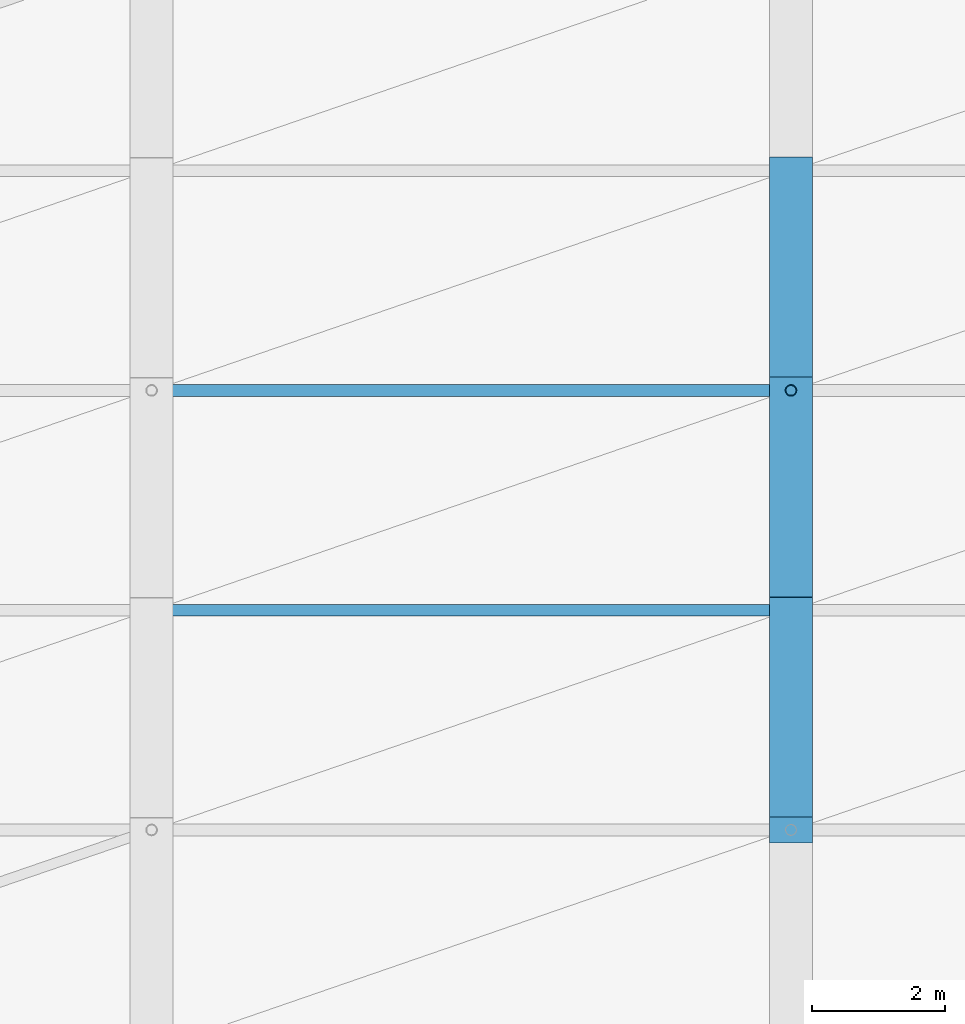
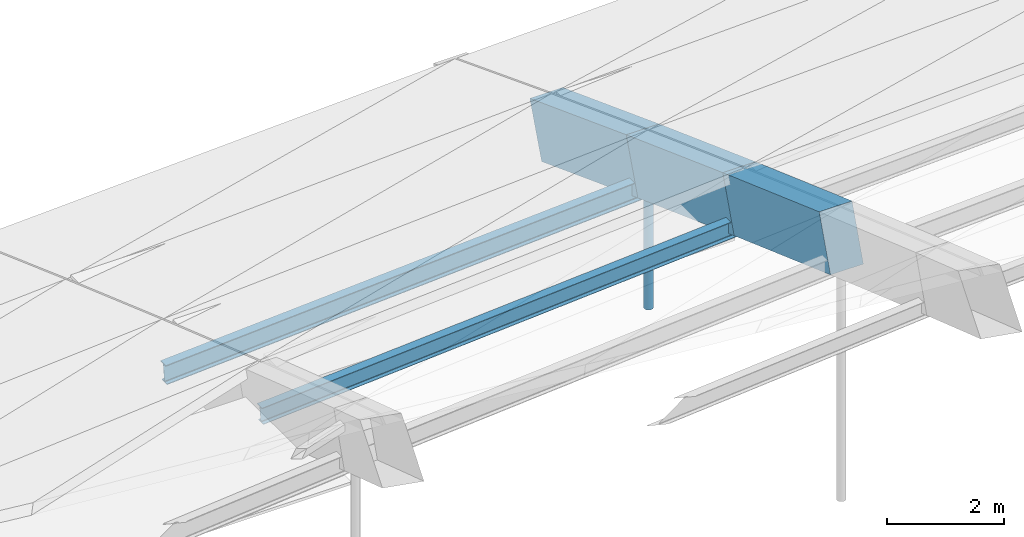
# One storey, part 20 of 43: 3 beams, 3 members.
"""IFC4 building model written with IfcOpenShell, lengths in metres."""

import ifcopenshell
import ifcopenshell.guid

model = None  # the IFC model being written
_history = None  # IfcOwnerHistory: only IFC2X3 demands one
_inside = {}  # id of a spatial element -> (the spatial element, [elements in it])
_under = {}  # id of a project, library or spatial element -> (it, [spatial elements below it])
_declared = {}  # id of a project -> (the project, [libraries it declares])
_typed = {}  # id of a type object -> (the type object, [elements of that type])
_made_of = {}  # id of a material, layer set ... -> (it, [elements and type objects made of it])


def new_model(schema):
    """Start an empty IFC model of exactly this schema.

    Asked for "IFC4X3", IfcOpenShell would pick the latest addendum, in which some entities
    have other attributes; the version numbers below select the first issue.
    IFC2X3 requires an IfcOwnerHistory on every rooted entity: one is made here for all.
    """
    global model, _history
    if schema == "IFC4X3":
        model = ifcopenshell.file(schema_version=(4, 3, 0, 0))
    else:
        model = ifcopenshell.file(schema=schema)
    _inside.clear()
    _under.clear()
    _declared.clear()
    _typed.clear()
    _made_of.clear()
    _history = None
    if model.schema == "IFC2X3":
        org = make("IfcOrganization", Name="unknown")
        user = make(
            "IfcPersonAndOrganization",
            ThePerson=make("IfcPerson", FamilyName="unknown"),
            TheOrganization=org,
        )
        app = make(
            "IfcApplication",
            ApplicationDeveloper=org,
            Version="unknown",
            ApplicationFullName="unknown",
            ApplicationIdentifier="unknown",
        )
        _history = make(
            "IfcOwnerHistory",
            OwningUser=user,
            OwningApplication=app,
            ChangeAction="ADDED",
            CreationDate=0,
        )
    return model


def make(cls, **values):
    """One entity of the class cls with the attributes given. An attribute that is None is left unset."""
    return model.create_entity(
        cls, **{name: value for name, value in values.items() if value is not None}
    )


def rooted(cls, **values):
    """An entity with a GlobalId (a new one), such as an element, a storey or a relation."""
    return make(cls, GlobalId=ifcopenshell.guid.new(), OwnerHistory=_history, **values)


def si_unit(unit_type, name, prefix=None):
    """IfcSIUnit, for example si_unit("LENGTHUNIT", "METRE", prefix="MILLI")."""
    return make("IfcSIUnit", UnitType=unit_type, Prefix=prefix, Name=name)


def assignment(units):
    """IfcUnitAssignment: the units of a project."""
    return None if units is None else make("IfcUnitAssignment", Units=units)


def point(xyz):
    """IfcCartesianPoint."""
    return None if xyz is None else make("IfcCartesianPoint", Coordinates=xyz)


def direction(xyz):
    """IfcDirection."""
    return None if xyz is None else make("IfcDirection", DirectionRatios=xyz)


def frame(location, z_axis=None, x_axis=None):
    """IfcAxis2Placement3D, a coordinate frame: its origin and axes. An axis left out is left unset."""
    return make(
        "IfcAxis2Placement3D",
        Location=point(location),
        Axis=direction(z_axis),
        RefDirection=direction(x_axis),
    )


def frame_2d(location, x_axis=None):
    """IfcAxis2Placement2D, a coordinate frame in the plane: its origin and x axis."""
    return make(
        "IfcAxis2Placement2D", Location=point(location), RefDirection=direction(x_axis)
    )


def origin():
    """The frame at (0, 0, 0) with its axes left unset."""
    return frame((0.0, 0.0, 0.0))


def origin_2d():
    """The frame at (0, 0) in the plane with its x axis left unset."""
    return frame_2d((0.0, 0.0))


def place(relative_to, where):
    """IfcLocalPlacement: puts the frame where relative to a parent placement (None: the world)."""
    return make(
        "IfcLocalPlacement", PlacementRelTo=relative_to, RelativePlacement=where
    )


def context(
    kind, dimensions, precision=None, world=None, true_north=None, identifier=None
):
    """IfcGeometricRepresentationContext, for example the 3D "Model" context."""
    return make(
        "IfcGeometricRepresentationContext",
        ContextIdentifier=identifier,
        ContextType=kind,
        CoordinateSpaceDimension=dimensions,
        Precision=precision,
        WorldCoordinateSystem=world,
        TrueNorth=true_north,
    )


def subcontext(parent, identifier, kind, view, scale=None):
    """IfcGeometricRepresentationSubContext, for example "Body" below "Model"."""
    return make(
        "IfcGeometricRepresentationSubContext",
        ContextIdentifier=identifier,
        ContextType=kind,
        ParentContext=parent,
        TargetScale=scale,
        TargetView=view,
    )


def project(units=None, contexts=None):
    """IfcProject with its units and contexts."""
    return rooted(
        "IfcProject",
        Name="project",
        RepresentationContexts=contexts,
        UnitsInContext=assignment(units),
    )


def spatial(cls, under=None, at=None, **own):
    """A site, building, storey or space (cls), placed at a placement, below another one or the project."""
    s = rooted(cls, ObjectPlacement=at, **own)
    if under is not None:
        _under.setdefault(under.id(), (under, []))[1].append(s)
    return s


def profile(cls, at=None, kind="AREA", **sizes):
    """A parametric profile (cls). Its sizes go by their IFC names, for example OverallWidth=200.0."""
    return make(cls, ProfileType=kind, Position=at, **sizes)


def rectangle(**sizes):
    """IfcRectangleProfileDef."""
    return profile("IfcRectangleProfileDef", **sizes)


def hollow_circle(**sizes):
    """IfcCircleHollowProfileDef."""
    return profile("IfcCircleHollowProfileDef", **sizes)


def i_section(**sizes):
    """IfcIShapeProfileDef."""
    return profile("IfcIShapeProfileDef", **sizes)


def extrude(swept, where, along, depth):
    """IfcExtrudedAreaSolid: the profile swept, set in the frame where, extruded along a direction by depth."""
    return make(
        "IfcExtrudedAreaSolid",
        SweptArea=swept,
        Position=where,
        ExtrudedDirection=direction(along),
        Depth=depth,
    )


def shape(context_of_items, identifier, shape_type, items):
    """IfcShapeRepresentation: the items that make up one representation, for example the "Body"."""
    return make(
        "IfcShapeRepresentation",
        ContextOfItems=context_of_items,
        RepresentationIdentifier=identifier,
        RepresentationType=shape_type,
        Items=items,
    )


def material(Name=None, Category=None):
    """IfcMaterial."""
    return make("IfcMaterial", Name=Name, Category=Category)


def material_profile(
    of_material, cross_section, Name=None, Category=None, Priority=None
):
    """IfcMaterialProfile: a cross section and its material."""
    return make(
        "IfcMaterialProfile",
        Name=Name,
        Material=of_material,
        Profile=cross_section,
        Priority=Priority,
        Category=Category,
    )


def profile_set(profiles, Name=None, composite=None):
    """IfcMaterialProfileSet."""
    return make(
        "IfcMaterialProfileSet",
        Name=Name,
        MaterialProfiles=profiles,
        CompositeProfile=composite,
    )


def made_of(thing, what):
    """Note that an element or type object is made of a material, layer set ...; save() writes the relation."""
    if what is not None:
        _made_of.setdefault(what.id(), (what, []))[1].append(thing)
    return thing


def type_object(cls, material=None, **own):
    """A type object (cls), such as IfcWallType, which elements share."""
    return made_of(rooted(cls, **own), material)


def element(
    cls,
    number,
    at=None,
    inside=None,
    cuts=None,
    type_object=None,
    material=None,
    context=None,
    identifier="Body",
    shape_type=None,
    held_by="IfcProductDefinitionShape",
    body=None,
    shapes=None,
    **own,
):
    """One element of the class cls, such as IfcWall. Its Tag is "e" and its number.

    at: its placement. inside: the storey or other place that contains it. cuts: it is an
    opening in that element (IfcRelVoidsElement). A single representation is given by context,
    identifier, shape_type and body (its items); several are given by shapes. held_by: the class
    of the entity that holds the representations. save() writes the other relations.
    """
    e = rooted(cls, Tag="e%d" % number, ObjectPlacement=at, **own)
    if body is not None:
        shapes = [shape(context, identifier, shape_type, body)]
    if shapes is not None:
        e.Representation = make(held_by, Representations=shapes)
    if inside is not None:
        _inside.setdefault(inside.id(), (inside, []))[1].append(e)
    if cuts is not None:
        rooted(
            "IfcRelVoidsElement", RelatingBuildingElement=cuts, RelatedOpeningElement=e
        )
    if type_object is not None:
        _typed.setdefault(type_object.id(), (type_object, []))[1].append(e)
    return made_of(e, material)


def aggregate(whole, parts):
    """IfcRelAggregates: a whole, such as a stair, and the parts it consists of."""
    return rooted("IfcRelAggregates", RelatingObject=whole, RelatedObjects=parts)


def save(model, path):
    """Write the relations noted so far, then the file.

    IfcRelAggregates (storeys below a building ...), IfcRelContainedInSpatialStructure (elements
    in a storey), IfcRelDefinesByType, IfcRelAssociatesMaterial and IfcRelDeclares: one each for
    every whole, place, type object, material and project.
    """
    for whole, parts in _under.values():
        aggregate(whole, parts)
    for where, things in _inside.values():
        rooted(
            "IfcRelContainedInSpatialStructure",
            RelatedElements=things,
            RelatingStructure=where,
        )
    for kind, things in _typed.values():
        rooted("IfcRelDefinesByType", RelatedObjects=things, RelatingType=kind)
    for what, things in _made_of.values():
        rooted("IfcRelAssociatesMaterial", RelatedObjects=things, RelatingMaterial=what)
    for by, libraries in _declared.values():
        rooted("IfcRelDeclares", RelatingContext=by, RelatedDefinitions=libraries)
    model.write(path)


model = new_model("IFC4")

# Units and contexts
model_context = context("Model", 3, precision=1e-05, world=origin(), true_north=direction((0.0, 1.0)))
body_context = subcontext(model_context, "Body", "Model", "MODEL_VIEW")
ifc_project = project(units=[si_unit("LENGTHUNIT", "METRE"), si_unit("AREAUNIT", "SQUARE_METRE"), si_unit("VOLUMEUNIT", "CUBIC_METRE"), si_unit("PLANEANGLEUNIT", "RADIAN"), si_unit("MASSUNIT", "GRAM", prefix="KILO")], contexts=[model_context])

# Site, building, storey
site_placement = place(None, origin())
site = spatial("IfcSite", under=ifc_project, at=site_placement, CompositionType="ELEMENT")
building_placement = place(site_placement, origin())
building = spatial("IfcBuilding", under=site, at=building_placement, Name="Chalmorin Arch Market", CompositionType="ELEMENT")
storey_placement = place(building_placement, frame((0.0, 0.0, 18.60009765625)))
storey = spatial("IfcBuildingStorey", under=building, at=storey_placement, Name="RF", CompositionType="ELEMENT", Elevation=18.60009765625)

# Member
ifc_material_1 = material(Name="Steel A500 Grade C", Category="steel")
ifc_material_profile_1 = material_profile(ifc_material_1, hollow_circle(Radius=0.084228515625, WallThickness=0.007080078125, at=origin_2d()), Name="CHS168X7")
ifc_profile_set_1 = profile_set([ifc_material_profile_1], Name="Steel A500 Grade C")
member_type_1 = type_object("IfcMemberType", Name="ArchHangerTie-CHS168", PredefinedType="CHORD", material=ifc_profile_set_1)
member_1_placement = place(storey_placement, frame((67.199951171875, 52.199951171875, -2.845458984375), z_axis=(0.0, 0.0, 1.0), x_axis=(1.0, 0.0, 0.0)))
element("IfcMember", 1, at=member_1_placement, inside=storey, type_object=member_type_1, Name="HT-CH168-0148", PredefinedType="CHORD", context=body_context, shape_type="SweptSolid", body=[
    extrude(hollow_circle(Radius=0.084228515625, WallThickness=0.007080078125, at=origin_2d()), origin(), (0.0, 0.0, 1.0), 3.059326171875),
])

# Beams
ifc_material_2 = material(Name="Concrete C50/60", Category="concrete")
ifc_material_profile_2 = material_profile(ifc_material_2, rectangle(XDim=0.64990234375, YDim=1.14990234375, at=origin_2d()), Name="RC650X1150")
ifc_profile_set_2 = profile_set([ifc_material_profile_2], Name="Concrete C50/60")
beam_type = type_object("IfcBeamType", Name="ArchRibChord-650x1150", PredefinedType="BEAM", material=ifc_profile_set_2)
beam_1_placement = place(storey_placement, frame((67.199951171875, 45.60009765625, 2.606689453125), z_axis=(0.0, 0.941435803862, -0.337192270383), x_axis=(-1.0, 0.0, 0.0)))
element("IfcBeam", 2, at=beam_1_placement, inside=storey, type_object=beam_type, Name="AR-01-1635", PredefinedType="BEAM", context=body_context, shape_type="SweptSolid", body=[
    extrude(rectangle(XDim=0.64990234375, YDim=1.14990234375, at=origin_2d()), origin(), (0.0, 0.0, 1.0), 3.505126953125),
])
beam_2_placement = place(storey_placement, frame((67.199951171875, 48.89990234375, 1.4248046875), z_axis=(0.0, 0.938791733534, -0.344485240684), x_axis=(-1.0, 0.0, 0.0)))
element("IfcBeam", 3, at=beam_2_placement, inside=storey, type_object=beam_type, Name="AR-01-1636", PredefinedType="BEAM", context=body_context, shape_type="SweptSolid", body=[
    extrude(rectangle(XDim=0.64990234375, YDim=1.14990234375, at=origin_2d()), origin(), (0.0, 0.0, 1.0), 3.51513671875),
])
beam_3_placement = place(storey_placement, frame((67.199951171875, 52.199951171875, 0.2138671875), z_axis=(0.0, 0.936098447266, -0.351738108579), x_axis=(-1.0, 0.0, 0.0)))
element("IfcBeam", 4, at=beam_3_placement, inside=storey, type_object=beam_type, Name="AR-01-1637", PredefinedType="BEAM", context=body_context, shape_type="SweptSolid", body=[
    extrude(rectangle(XDim=0.64990234375, YDim=1.14990234375, at=origin_2d()), origin(), (0.0, 0.0, 1.0), 3.525390625),
])

# Members
ifc_material_3 = material(Name="Steel A992 Grade 50", Category="steel")
ifc_material_profile_3 = material_profile(ifc_material_3, i_section(OverallWidth=0.1708984375, OverallDepth=0.35107421875, WebThickness=0.0068359375, FlangeThickness=0.009765625, FilletRadius=0.014892578125, at=origin_2d()), Name="W14X30")
ifc_profile_set_3 = profile_set([ifc_material_profile_3], Name="Steel A992 Grade 50")
member_type_2 = type_object("IfcMemberType", Name="RoofSteelPurlin-W14X30", PredefinedType="PURLIN", material=ifc_profile_set_3)
member_2_placement = place(storey_placement, frame((57.6201171875, 48.89990234375, 0.28076171875), z_axis=(0.997596075775, 0.0, 0.069296966726), x_axis=(0.0, 1.0, 0.0)))
element("IfcMember", 5, at=member_2_placement, inside=storey, type_object=member_type_2, Name="PR-W14-0218", PredefinedType="PURLIN", context=body_context, shape_type="SweptSolid", body=[
    extrude(i_section(OverallWidth=0.1708984375, OverallDepth=0.35107421875, WebThickness=0.0068359375, FlangeThickness=0.009765625, FilletRadius=0.014892578125, at=origin_2d()), origin(), (0.0, 0.0, 1.0), 9.582763671875),
])
ifc_material_profile_4 = material_profile(ifc_material_3, i_section(OverallWidth=0.178955078125, OverallDepth=0.409912109375, WebThickness=0.0087890625, FlangeThickness=0.014404296875, FilletRadius=0.01806640625, at=origin_2d()), Name="W16X45")
ifc_profile_set_4 = profile_set([ifc_material_profile_4], Name="Steel A992 Grade 50")
member_type_3 = type_object("IfcMemberType", Name="RoofSteelPurlin-W16X45", PredefinedType="PURLIN", material=ifc_profile_set_4)
member_3_placement = place(storey_placement, frame((57.6201171875, 52.199951171875, -0.856689453125), z_axis=(0.998097248777, 0.0, 0.061659403039), x_axis=(0.0, 1.0, 0.0)))
element("IfcMember", 6, at=member_3_placement, inside=storey, type_object=member_type_3, Name="PR-W16-0219", PredefinedType="PURLIN", context=body_context, shape_type="SweptSolid", body=[
    extrude(i_section(OverallWidth=0.178955078125, OverallDepth=0.409912109375, WebThickness=0.0087890625, FlangeThickness=0.014404296875, FilletRadius=0.01806640625, at=origin_2d()), origin(), (0.0, 0.0, 1.0), 9.578125),
])

save(model, "model.ifc")
